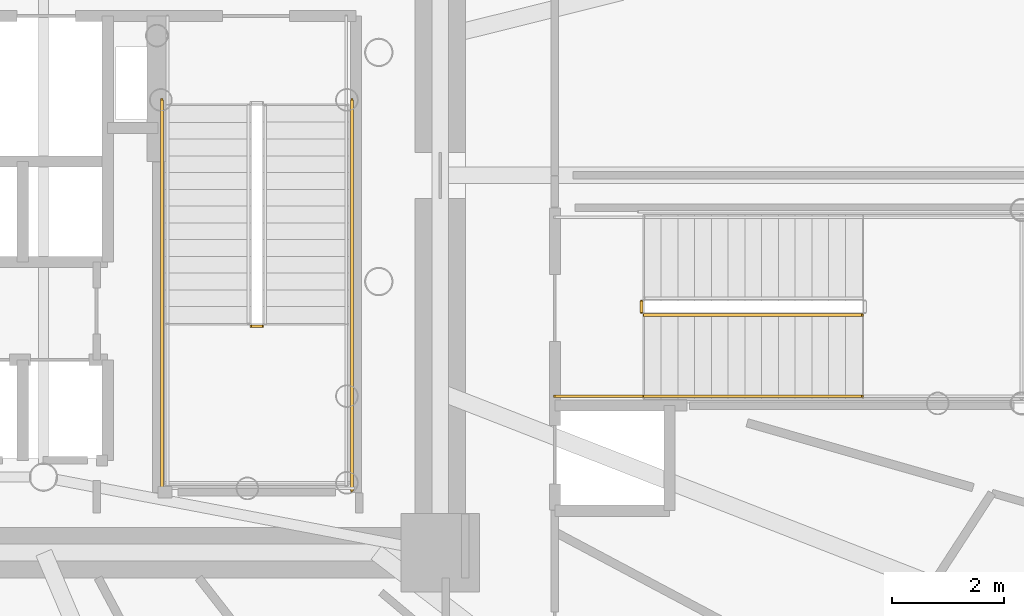
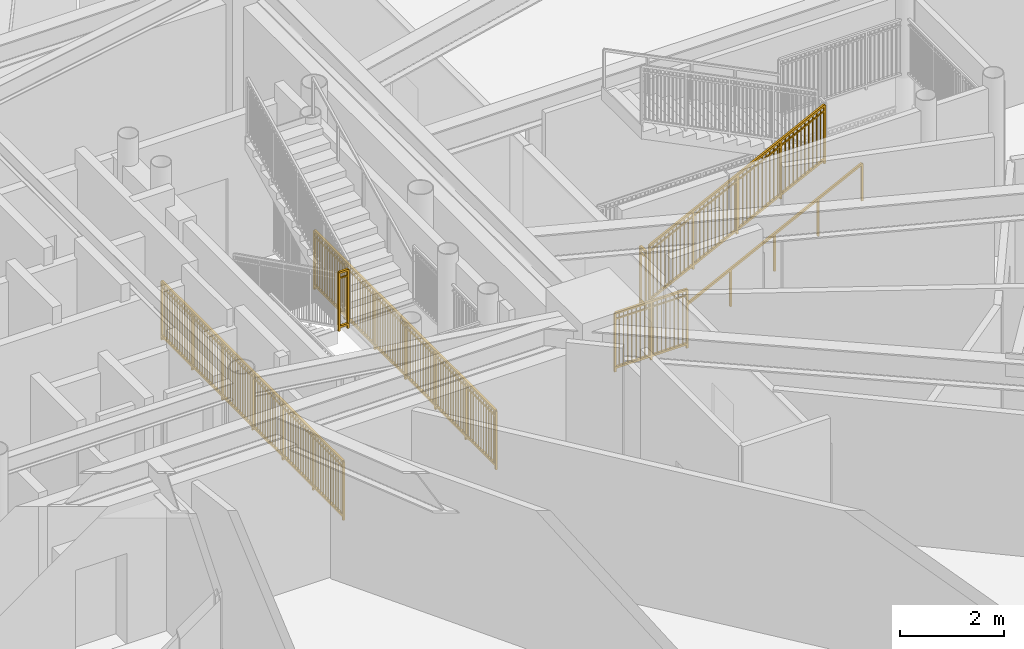
# One storey, part 28 of 32: 7 railings.
"""IFC4 building model written with IfcOpenShell, lengths in metres."""

from ifc_helpers import new_model, si_unit, direction, frame, origin, origin_2d, place, context, subcontext, project, spatial, rectangle, extrude, source, transform, mapped, material, type_object, element, save


model = new_model("IFC4")

# Units and contexts
model_context = context("Model", 3, precision=1e-05, world=origin(), true_north=direction((0.0, 1.0)))
body_context = subcontext(model_context, "Body", "Model", "MODEL_VIEW")
ifc_project = project(units=[si_unit("LENGTHUNIT", "METRE"), si_unit("AREAUNIT", "SQUARE_METRE"), si_unit("VOLUMEUNIT", "CUBIC_METRE"), si_unit("PLANEANGLEUNIT", "RADIAN"), si_unit("MASSUNIT", "GRAM", prefix="KILO")], contexts=[model_context])

# Site, building, storey
site_placement = place(None, origin())
site = spatial("IfcSite", under=ifc_project, at=site_placement, CompositionType="ELEMENT")
building_placement = place(site_placement, origin())
building = spatial("IfcBuilding", under=site, at=building_placement, Name="Linh Dai School and Residence Tower", CompositionType="ELEMENT")
storey_placement = place(building_placement, frame((0.0, 0.0, 53.39990234375)))
storey = spatial("IfcBuildingStorey", under=building, at=storey_placement, Name="L12", CompositionType="ELEMENT", Elevation=53.39990234375)

# Railings
ifc_material_1 = material(Name="Structural Steel S355JR", Category="steel")
railing_type_1 = type_object("IfcRailingType", Name="RL-ST-GUARD-1400", PredefinedType="GUARDRAIL", material=ifc_material_1)
shared_shape_1 = source(origin(), body_context, "Body", "SweptSolid", [
    extrude(rectangle(XDim=0.048095703125, YDim=0.048095703125, at=origin_2d()), frame((0.0, 0.0, 1.3759765625), z_axis=(1.0, 0.0, 0.0), x_axis=(0.0, 1.0, 0.0)), (0.0, 0.0, 1.0), 0.199951171875),
    extrude(rectangle(XDim=0.048095703125, YDim=0.048095703125, at=origin_2d()), frame((0.0, 0.0, 0.10009765625), z_axis=(1.0, 0.0, 0.0), x_axis=(0.0, 1.0, 0.0)), (0.0, 0.0, 1.0), 0.199951171875),
    extrude(rectangle(XDim=0.030029296875, YDim=0.030029296875, at=origin_2d()), frame((0.0, 0.0, 1.239990234375), z_axis=(1.0, 0.0, 0.0), x_axis=(0.0, 1.0, 0.0)), (0.0, 0.0, 1.0), 0.199951171875),
    extrude(rectangle(XDim=0.0419921875, YDim=0.0419921875, at=origin_2d()), origin(), (0.0, 0.0, 1.0), 1.3759765625),
    extrude(rectangle(XDim=0.0419921875, YDim=0.0419921875, at=origin_2d()), frame((0.199951171875, 0.0, 0.0)), (0.0, 0.0, 1.0), 1.3759765625),
])
railing_1_placement = place(storey_placement, frame((42.570068359375, 24.300048828125, 2.10009765625)))
element("IfcRailing", 1, at=railing_1_placement, inside=storey, type_object=railing_type_1, Name="L12 ST2 stair guard 2", PredefinedType="GUARDRAIL", context=body_context, shape_type="MappedRepresentation", body=[
    mapped(shared_shape_1, transform((0.0, 0.0, 0.0), x_axis=(1.0, 0.0, 0.0), y_axis=(0.0, 1.0, 0.0), z_axis=(0.0, 0.0, 1.0), scale=1.0)),
])
shared_shape_2 = source(origin(), body_context, "Body", "SweptSolid", [
    extrude(rectangle(XDim=0.048095703125, YDim=0.048095703125, at=origin_2d()), frame((0.0, 0.0, 1.3759765625), z_axis=(0.0, -1.0, 0.0), x_axis=(1.0, 0.0, 0.0)), (0.0, 0.0, 1.0), 7.0),
    extrude(rectangle(XDim=0.048095703125, YDim=0.048095703125, at=origin_2d()), frame((0.0, 0.0, 0.10009765625), z_axis=(0.0, -1.0, 0.0), x_axis=(1.0, 0.0, 0.0)), (0.0, 0.0, 1.0), 7.0),
    extrude(rectangle(XDim=0.030029296875, YDim=0.030029296875, at=origin_2d()), frame((0.0, 0.0, 1.239990234375), z_axis=(0.0, -1.0, 0.0), x_axis=(1.0, 0.0, 0.0)), (0.0, 0.0, 1.0), 7.0),
    extrude(rectangle(XDim=0.02001953125, YDim=0.02001953125, at=origin_2d()), frame((0.0, -0.09716796875, 0.10009765625)), (0.0, 0.0, 1.0), 1.251708984375),
    extrude(rectangle(XDim=0.02001953125, YDim=0.02001953125, at=origin_2d()), frame((0.0, -0.1943359375, 0.10009765625)), (0.0, 0.0, 1.0), 1.251708984375),
    extrude(rectangle(XDim=0.02001953125, YDim=0.02001953125, at=origin_2d()), frame((0.0, -0.291748046875, 0.10009765625)), (0.0, 0.0, 1.0), 1.251708984375),
    extrude(rectangle(XDim=0.02001953125, YDim=0.02001953125, at=origin_2d()), frame((0.0, -0.388916015625, 0.10009765625)), (0.0, 0.0, 1.0), 1.251708984375),
    extrude(rectangle(XDim=0.02001953125, YDim=0.02001953125, at=origin_2d()), frame((0.0, -0.486083984375, 0.10009765625)), (0.0, 0.0, 1.0), 1.251708984375),
    extrude(rectangle(XDim=0.02001953125, YDim=0.02001953125, at=origin_2d()), frame((0.0, -0.583251953125, 0.10009765625)), (0.0, 0.0, 1.0), 1.251708984375),
    extrude(rectangle(XDim=0.02001953125, YDim=0.02001953125, at=origin_2d()), frame((0.0, -0.6806640625, 0.10009765625)), (0.0, 0.0, 1.0), 1.251708984375),
    extrude(rectangle(XDim=0.02001953125, YDim=0.02001953125, at=origin_2d()), frame((0.0, -0.77783203125, 0.10009765625)), (0.0, 0.0, 1.0), 1.251708984375),
    extrude(rectangle(XDim=0.02001953125, YDim=0.02001953125, at=origin_2d()), frame((0.0, -0.875, 0.10009765625)), (0.0, 0.0, 1.0), 1.251708984375),
    extrude(rectangle(XDim=0.02001953125, YDim=0.02001953125, at=origin_2d()), frame((0.0, -0.97216796875, 0.10009765625)), (0.0, 0.0, 1.0), 1.251708984375),
    extrude(rectangle(XDim=0.02001953125, YDim=0.02001953125, at=origin_2d()), frame((0.0, -1.0693359375, 0.10009765625)), (0.0, 0.0, 1.0), 1.251708984375),
    extrude(rectangle(XDim=0.02001953125, YDim=0.02001953125, at=origin_2d()), frame((0.0, -1.263916015625, 0.10009765625)), (0.0, 0.0, 1.0), 1.251708984375),
    extrude(rectangle(XDim=0.02001953125, YDim=0.02001953125, at=origin_2d()), frame((0.0, -1.361083984375, 0.10009765625)), (0.0, 0.0, 1.0), 1.251708984375),
    extrude(rectangle(XDim=0.02001953125, YDim=0.02001953125, at=origin_2d()), frame((0.0, -1.458251953125, 0.10009765625)), (0.0, 0.0, 1.0), 1.251708984375),
    extrude(rectangle(XDim=0.02001953125, YDim=0.02001953125, at=origin_2d()), frame((0.0, -1.5556640625, 0.10009765625)), (0.0, 0.0, 1.0), 1.251708984375),
    extrude(rectangle(XDim=0.02001953125, YDim=0.02001953125, at=origin_2d()), frame((0.0, -1.65283203125, 0.10009765625)), (0.0, 0.0, 1.0), 1.251708984375),
    extrude(rectangle(XDim=0.02001953125, YDim=0.02001953125, at=origin_2d()), frame((0.0, -1.75, 0.10009765625)), (0.0, 0.0, 1.0), 1.251708984375),
    extrude(rectangle(XDim=0.02001953125, YDim=0.02001953125, at=origin_2d()), frame((0.0, -1.84716796875, 0.10009765625)), (0.0, 0.0, 1.0), 1.251708984375),
    extrude(rectangle(XDim=0.02001953125, YDim=0.02001953125, at=origin_2d()), frame((0.0, -1.9443359375, 0.10009765625)), (0.0, 0.0, 1.0), 1.251708984375),
    extrude(rectangle(XDim=0.02001953125, YDim=0.02001953125, at=origin_2d()), frame((0.0, -2.041748046875, 0.10009765625)), (0.0, 0.0, 1.0), 1.251708984375),
    extrude(rectangle(XDim=0.02001953125, YDim=0.02001953125, at=origin_2d()), frame((0.0, -2.138916015625, 0.10009765625)), (0.0, 0.0, 1.0), 1.251708984375),
    extrude(rectangle(XDim=0.02001953125, YDim=0.02001953125, at=origin_2d()), frame((0.0, -2.236083984375, 0.10009765625)), (0.0, 0.0, 1.0), 1.251708984375),
    extrude(rectangle(XDim=0.02001953125, YDim=0.02001953125, at=origin_2d()), frame((0.0, -2.4306640625, 0.10009765625)), (0.0, 0.0, 1.0), 1.251708984375),
    extrude(rectangle(XDim=0.02001953125, YDim=0.02001953125, at=origin_2d()), frame((0.0, -2.52783203125, 0.10009765625)), (0.0, 0.0, 1.0), 1.251708984375),
    extrude(rectangle(XDim=0.02001953125, YDim=0.02001953125, at=origin_2d()), frame((0.0, -2.625, 0.10009765625)), (0.0, 0.0, 1.0), 1.251708984375),
    extrude(rectangle(XDim=0.02001953125, YDim=0.02001953125, at=origin_2d()), frame((0.0, -2.72216796875, 0.10009765625)), (0.0, 0.0, 1.0), 1.251708984375),
    extrude(rectangle(XDim=0.02001953125, YDim=0.02001953125, at=origin_2d()), frame((0.0, -2.8193359375, 0.10009765625)), (0.0, 0.0, 1.0), 1.251708984375),
    extrude(rectangle(XDim=0.02001953125, YDim=0.02001953125, at=origin_2d()), frame((0.0, -2.916748046875, 0.10009765625)), (0.0, 0.0, 1.0), 1.251708984375),
    extrude(rectangle(XDim=0.02001953125, YDim=0.02001953125, at=origin_2d()), frame((0.0, -3.013916015625, 0.10009765625)), (0.0, 0.0, 1.0), 1.251708984375),
    extrude(rectangle(XDim=0.02001953125, YDim=0.02001953125, at=origin_2d()), frame((0.0, -3.111083984375, 0.10009765625)), (0.0, 0.0, 1.0), 1.251708984375),
    extrude(rectangle(XDim=0.02001953125, YDim=0.02001953125, at=origin_2d()), frame((0.0, -3.208251953125, 0.10009765625)), (0.0, 0.0, 1.0), 1.251708984375),
    extrude(rectangle(XDim=0.02001953125, YDim=0.02001953125, at=origin_2d()), frame((0.0, -3.3056640625, 0.10009765625)), (0.0, 0.0, 1.0), 1.251708984375),
    extrude(rectangle(XDim=0.02001953125, YDim=0.02001953125, at=origin_2d()), frame((0.0, -3.40283203125, 0.10009765625)), (0.0, 0.0, 1.0), 1.251708984375),
    extrude(rectangle(XDim=0.02001953125, YDim=0.02001953125, at=origin_2d()), frame((0.0, -3.59716796875, 0.10009765625)), (0.0, 0.0, 1.0), 1.251708984375),
    extrude(rectangle(XDim=0.02001953125, YDim=0.02001953125, at=origin_2d()), frame((0.0, -3.6943359375, 0.10009765625)), (0.0, 0.0, 1.0), 1.251708984375),
    extrude(rectangle(XDim=0.02001953125, YDim=0.02001953125, at=origin_2d()), frame((0.0, -3.791748046875, 0.10009765625)), (0.0, 0.0, 1.0), 1.251708984375),
    extrude(rectangle(XDim=0.02001953125, YDim=0.02001953125, at=origin_2d()), frame((0.0, -3.888916015625, 0.10009765625)), (0.0, 0.0, 1.0), 1.251708984375),
    extrude(rectangle(XDim=0.02001953125, YDim=0.02001953125, at=origin_2d()), frame((0.0, -3.986083984375, 0.10009765625)), (0.0, 0.0, 1.0), 1.251708984375),
    extrude(rectangle(XDim=0.02001953125, YDim=0.02001953125, at=origin_2d()), frame((0.0, -4.083251953125, 0.10009765625)), (0.0, 0.0, 1.0), 1.251708984375),
    extrude(rectangle(XDim=0.02001953125, YDim=0.02001953125, at=origin_2d()), frame((0.0, -4.1806640625, 0.10009765625)), (0.0, 0.0, 1.0), 1.251708984375),
    extrude(rectangle(XDim=0.02001953125, YDim=0.02001953125, at=origin_2d()), frame((0.0, -4.27783203125, 0.10009765625)), (0.0, 0.0, 1.0), 1.251708984375),
    extrude(rectangle(XDim=0.02001953125, YDim=0.02001953125, at=origin_2d()), frame((0.0, -4.375, 0.10009765625)), (0.0, 0.0, 1.0), 1.251708984375),
    extrude(rectangle(XDim=0.02001953125, YDim=0.02001953125, at=origin_2d()), frame((0.0, -4.47216796875, 0.10009765625)), (0.0, 0.0, 1.0), 1.251708984375),
    extrude(rectangle(XDim=0.02001953125, YDim=0.02001953125, at=origin_2d()), frame((0.0, -4.5693359375, 0.10009765625)), (0.0, 0.0, 1.0), 1.251708984375),
    extrude(rectangle(XDim=0.02001953125, YDim=0.02001953125, at=origin_2d()), frame((0.0, -4.763916015625, 0.10009765625)), (0.0, 0.0, 1.0), 1.251708984375),
    extrude(rectangle(XDim=0.02001953125, YDim=0.02001953125, at=origin_2d()), frame((0.0, -4.861083984375, 0.10009765625)), (0.0, 0.0, 1.0), 1.251708984375),
    extrude(rectangle(XDim=0.02001953125, YDim=0.02001953125, at=origin_2d()), frame((0.0, -4.958251953125, 0.10009765625)), (0.0, 0.0, 1.0), 1.251708984375),
    extrude(rectangle(XDim=0.02001953125, YDim=0.02001953125, at=origin_2d()), frame((0.0, -5.0556640625, 0.10009765625)), (0.0, 0.0, 1.0), 1.251708984375),
    extrude(rectangle(XDim=0.02001953125, YDim=0.02001953125, at=origin_2d()), frame((0.0, -5.15283203125, 0.10009765625)), (0.0, 0.0, 1.0), 1.251708984375),
    extrude(rectangle(XDim=0.02001953125, YDim=0.02001953125, at=origin_2d()), frame((0.0, -5.25, 0.10009765625)), (0.0, 0.0, 1.0), 1.251708984375),
    extrude(rectangle(XDim=0.02001953125, YDim=0.02001953125, at=origin_2d()), frame((0.0, -5.34716796875, 0.10009765625)), (0.0, 0.0, 1.0), 1.251708984375),
    extrude(rectangle(XDim=0.02001953125, YDim=0.02001953125, at=origin_2d()), frame((0.0, -5.4443359375, 0.10009765625)), (0.0, 0.0, 1.0), 1.251708984375),
    extrude(rectangle(XDim=0.02001953125, YDim=0.02001953125, at=origin_2d()), frame((0.0, -5.541748046875, 0.10009765625)), (0.0, 0.0, 1.0), 1.251708984375),
    extrude(rectangle(XDim=0.02001953125, YDim=0.02001953125, at=origin_2d()), frame((0.0, -5.638916015625, 0.10009765625)), (0.0, 0.0, 1.0), 1.251708984375),
    extrude(rectangle(XDim=0.02001953125, YDim=0.02001953125, at=origin_2d()), frame((0.0, -5.736083984375, 0.10009765625)), (0.0, 0.0, 1.0), 1.251708984375),
    extrude(rectangle(XDim=0.02001953125, YDim=0.02001953125, at=origin_2d()), frame((0.0, -5.9306640625, 0.10009765625)), (0.0, 0.0, 1.0), 1.251708984375),
    extrude(rectangle(XDim=0.02001953125, YDim=0.02001953125, at=origin_2d()), frame((0.0, -6.02783203125, 0.10009765625)), (0.0, 0.0, 1.0), 1.251708984375),
    extrude(rectangle(XDim=0.02001953125, YDim=0.02001953125, at=origin_2d()), frame((0.0, -6.125, 0.10009765625)), (0.0, 0.0, 1.0), 1.251708984375),
    extrude(rectangle(XDim=0.02001953125, YDim=0.02001953125, at=origin_2d()), frame((0.0, -6.22216796875, 0.10009765625)), (0.0, 0.0, 1.0), 1.251708984375),
    extrude(rectangle(XDim=0.02001953125, YDim=0.02001953125, at=origin_2d()), frame((0.0, -6.3193359375, 0.10009765625)), (0.0, 0.0, 1.0), 1.251708984375),
    extrude(rectangle(XDim=0.02001953125, YDim=0.02001953125, at=origin_2d()), frame((0.0, -6.416748046875, 0.10009765625)), (0.0, 0.0, 1.0), 1.251708984375),
    extrude(rectangle(XDim=0.02001953125, YDim=0.02001953125, at=origin_2d()), frame((0.0, -6.513916015625, 0.10009765625)), (0.0, 0.0, 1.0), 1.251708984375),
    extrude(rectangle(XDim=0.02001953125, YDim=0.02001953125, at=origin_2d()), frame((0.0, -6.611083984375, 0.10009765625)), (0.0, 0.0, 1.0), 1.251708984375),
    extrude(rectangle(XDim=0.02001953125, YDim=0.02001953125, at=origin_2d()), frame((0.0, -6.708251953125, 0.10009765625)), (0.0, 0.0, 1.0), 1.251708984375),
    extrude(rectangle(XDim=0.02001953125, YDim=0.02001953125, at=origin_2d()), frame((0.0, -6.8056640625, 0.10009765625)), (0.0, 0.0, 1.0), 1.251708984375),
    extrude(rectangle(XDim=0.02001953125, YDim=0.02001953125, at=origin_2d()), frame((0.0, -6.90283203125, 0.10009765625)), (0.0, 0.0, 1.0), 1.251708984375),
    extrude(rectangle(XDim=0.0419921875, YDim=0.0419921875, at=origin_2d()), origin(), (0.0, 0.0, 1.0), 1.3759765625),
    extrude(rectangle(XDim=0.0419921875, YDim=0.0419921875, at=origin_2d()), frame((0.0, -1.166748046875, 0.0)), (0.0, 0.0, 1.0), 1.3759765625),
    extrude(rectangle(XDim=0.0419921875, YDim=0.0419921875, at=origin_2d()), frame((0.0, -2.333251953125, 0.0)), (0.0, 0.0, 1.0), 1.3759765625),
    extrude(rectangle(XDim=0.0419921875, YDim=0.0419921875, at=origin_2d()), frame((0.0, -3.5, 0.0)), (0.0, 0.0, 1.0), 1.3759765625),
    extrude(rectangle(XDim=0.0419921875, YDim=0.0419921875, at=origin_2d()), frame((0.0, -4.666748046875, 0.0)), (0.0, 0.0, 1.0), 1.3759765625),
    extrude(rectangle(XDim=0.0419921875, YDim=0.0419921875, at=origin_2d()), frame((0.0, -5.833251953125, 0.0)), (0.0, 0.0, 1.0), 1.3759765625),
    extrude(rectangle(XDim=0.0419921875, YDim=0.0419921875, at=origin_2d()), frame((0.0, -7.0, 0.0)), (0.0, 0.0, 1.0), 1.3759765625),
])
for number, where, name in (
    (2, (40.969970703125, 28.35009765625, 0.0), "L12 ST2 stair guard 10"),
    (3, (44.3701171875, 28.35009765625, 0.0), "L12 ST2 stair guard 11"),
):
    element("IfcRailing", number, at=place(storey_placement, frame(where)), inside=storey, type_object=railing_type_1, Name=name, PredefinedType="GUARDRAIL", context=body_context, shape_type="MappedRepresentation", body=[
        mapped(shared_shape_2, transform((0.0, 0.0, 0.0), x_axis=(1.0, 0.0, 0.0), y_axis=(0.0, 1.0, 0.0), z_axis=(0.0, 0.0, 1.0), scale=1.0)),
    ])
shared_shape_3 = source(origin(), body_context, "Body", "SweptSolid", [
    extrude(rectangle(XDim=0.048095703125, YDim=0.048095703125, at=origin_2d()), frame((0.0, 0.0, 1.3759765625), z_axis=(0.894427191, 0.0, 0.4472135955), x_axis=(0.0, 1.0, 0.0)), (0.0, 0.0, 1.0), 4.360107421875),
    extrude(rectangle(XDim=0.048095703125, YDim=0.048095703125, at=origin_2d()), frame((0.0, 0.0, 0.10009765625), z_axis=(0.894427191, 0.0, 0.4472135955), x_axis=(0.0, 1.0, 0.0)), (0.0, 0.0, 1.0), 4.360107421875),
    extrude(rectangle(XDim=0.030029296875, YDim=0.030029296875, at=origin_2d()), frame((0.0, 0.0, 1.239990234375), z_axis=(0.894427191, 0.0, 0.4472135955), x_axis=(0.0, 1.0, 0.0)), (0.0, 0.0, 1.0), 4.360107421875),
    extrude(rectangle(XDim=0.02001953125, YDim=0.02001953125, at=origin_2d()), frame((0.086669921875, 0.0, 0.143310546875)), (0.0, 0.0, 1.0), 1.251708984375),
    extrude(rectangle(XDim=0.02001953125, YDim=0.02001953125, at=origin_2d()), frame((0.17333984375, 0.0, 0.186767578125)), (0.0, 0.0, 1.0), 1.251708984375),
    extrude(rectangle(XDim=0.02001953125, YDim=0.02001953125, at=origin_2d()), frame((0.260009765625, 0.0, 0.22998046875)), (0.0, 0.0, 1.0), 1.251708984375),
    extrude(rectangle(XDim=0.02001953125, YDim=0.02001953125, at=origin_2d()), frame((0.3466796875, 0.0, 0.2734375)), (0.0, 0.0, 1.0), 1.251708984375),
    extrude(rectangle(XDim=0.02001953125, YDim=0.02001953125, at=origin_2d()), frame((0.433349609375, 0.0, 0.316650390625)), (0.0, 0.0, 1.0), 1.251708984375),
    extrude(rectangle(XDim=0.02001953125, YDim=0.02001953125, at=origin_2d()), frame((0.52001953125, 0.0, 0.360107421875)), (0.0, 0.0, 1.0), 1.251708984375),
    extrude(rectangle(XDim=0.02001953125, YDim=0.02001953125, at=origin_2d()), frame((0.606689453125, 0.0, 0.4033203125)), (0.0, 0.0, 1.0), 1.251708984375),
    extrude(rectangle(XDim=0.02001953125, YDim=0.02001953125, at=origin_2d()), frame((0.693359375, 0.0, 0.44677734375)), (0.0, 0.0, 1.0), 1.251708984375),
    extrude(rectangle(XDim=0.02001953125, YDim=0.02001953125, at=origin_2d()), frame((0.780029296875, 0.0, 0.489990234375)), (0.0, 0.0, 1.0), 1.251708984375),
    extrude(rectangle(XDim=0.02001953125, YDim=0.02001953125, at=origin_2d()), frame((0.86669921875, 0.0, 0.533447265625)), (0.0, 0.0, 1.0), 1.251708984375),
    extrude(rectangle(XDim=0.02001953125, YDim=0.02001953125, at=origin_2d()), frame((1.0400390625, 0.0, 0.6201171875)), (0.0, 0.0, 1.0), 1.251708984375),
    extrude(rectangle(XDim=0.02001953125, YDim=0.02001953125, at=origin_2d()), frame((1.126708984375, 0.0, 0.663330078125)), (0.0, 0.0, 1.0), 1.251708984375),
    extrude(rectangle(XDim=0.02001953125, YDim=0.02001953125, at=origin_2d()), frame((1.21337890625, 0.0, 0.706787109375)), (0.0, 0.0, 1.0), 1.251708984375),
    extrude(rectangle(XDim=0.02001953125, YDim=0.02001953125, at=origin_2d()), frame((1.300048828125, 0.0, 0.75)), (0.0, 0.0, 1.0), 1.251708984375),
    extrude(rectangle(XDim=0.02001953125, YDim=0.02001953125, at=origin_2d()), frame((1.38671875, 0.0, 0.79345703125)), (0.0, 0.0, 1.0), 1.251708984375),
    extrude(rectangle(XDim=0.02001953125, YDim=0.02001953125, at=origin_2d()), frame((1.473388671875, 0.0, 0.836669921875)), (0.0, 0.0, 1.0), 1.251708984375),
    extrude(rectangle(XDim=0.02001953125, YDim=0.02001953125, at=origin_2d()), frame((1.56005859375, 0.0, 0.880126953125)), (0.0, 0.0, 1.0), 1.251708984375),
    extrude(rectangle(XDim=0.02001953125, YDim=0.02001953125, at=origin_2d()), frame((1.646728515625, 0.0, 0.92333984375)), (0.0, 0.0, 1.0), 1.251708984375),
    extrude(rectangle(XDim=0.02001953125, YDim=0.02001953125, at=origin_2d()), frame((1.7333984375, 0.0, 0.966796875)), (0.0, 0.0, 1.0), 1.251708984375),
    extrude(rectangle(XDim=0.02001953125, YDim=0.02001953125, at=origin_2d()), frame((1.820068359375, 0.0, 1.010009765625)), (0.0, 0.0, 1.0), 1.251708984375),
    extrude(rectangle(XDim=0.02001953125, YDim=0.02001953125, at=origin_2d()), frame((1.90673828125, 0.0, 1.053466796875)), (0.0, 0.0, 1.0), 1.251708984375),
    extrude(rectangle(XDim=0.02001953125, YDim=0.02001953125, at=origin_2d()), frame((1.9931640625, 0.0, 1.0966796875)), (0.0, 0.0, 1.0), 1.251708984375),
    extrude(rectangle(XDim=0.02001953125, YDim=0.02001953125, at=origin_2d()), frame((2.079833984375, 0.0, 1.14013671875)), (0.0, 0.0, 1.0), 1.251708984375),
    extrude(rectangle(XDim=0.02001953125, YDim=0.02001953125, at=origin_2d()), frame((2.16650390625, 0.0, 1.183349609375)), (0.0, 0.0, 1.0), 1.251708984375),
    extrude(rectangle(XDim=0.02001953125, YDim=0.02001953125, at=origin_2d()), frame((2.253173828125, 0.0, 1.226806640625)), (0.0, 0.0, 1.0), 1.251708984375),
    extrude(rectangle(XDim=0.02001953125, YDim=0.02001953125, at=origin_2d()), frame((2.33984375, 0.0, 1.27001953125)), (0.0, 0.0, 1.0), 1.251708984375),
    extrude(rectangle(XDim=0.02001953125, YDim=0.02001953125, at=origin_2d()), frame((2.426513671875, 0.0, 1.3134765625)), (0.0, 0.0, 1.0), 1.251708984375),
    extrude(rectangle(XDim=0.02001953125, YDim=0.02001953125, at=origin_2d()), frame((2.51318359375, 0.0, 1.356689453125)), (0.0, 0.0, 1.0), 1.251708984375),
    extrude(rectangle(XDim=0.02001953125, YDim=0.02001953125, at=origin_2d()), frame((2.599853515625, 0.0, 1.400146484375)), (0.0, 0.0, 1.0), 1.251708984375),
    extrude(rectangle(XDim=0.02001953125, YDim=0.02001953125, at=origin_2d()), frame((2.6865234375, 0.0, 1.443359375)), (0.0, 0.0, 1.0), 1.251708984375),
    extrude(rectangle(XDim=0.02001953125, YDim=0.02001953125, at=origin_2d()), frame((2.773193359375, 0.0, 1.48681640625)), (0.0, 0.0, 1.0), 1.251708984375),
    extrude(rectangle(XDim=0.02001953125, YDim=0.02001953125, at=origin_2d()), frame((2.85986328125, 0.0, 1.530029296875)), (0.0, 0.0, 1.0), 1.251708984375),
    extrude(rectangle(XDim=0.02001953125, YDim=0.02001953125, at=origin_2d()), frame((3.033203125, 0.0, 1.61669921875)), (0.0, 0.0, 1.0), 1.251708984375),
    extrude(rectangle(XDim=0.02001953125, YDim=0.02001953125, at=origin_2d()), frame((3.119873046875, 0.0, 1.66015625)), (0.0, 0.0, 1.0), 1.251708984375),
    extrude(rectangle(XDim=0.02001953125, YDim=0.02001953125, at=origin_2d()), frame((3.20654296875, 0.0, 1.703369140625)), (0.0, 0.0, 1.0), 1.251708984375),
    extrude(rectangle(XDim=0.02001953125, YDim=0.02001953125, at=origin_2d()), frame((3.293212890625, 0.0, 1.746826171875)), (0.0, 0.0, 1.0), 1.251708984375),
    extrude(rectangle(XDim=0.02001953125, YDim=0.02001953125, at=origin_2d()), frame((3.3798828125, 0.0, 1.7900390625)), (0.0, 0.0, 1.0), 1.251708984375),
    extrude(rectangle(XDim=0.02001953125, YDim=0.02001953125, at=origin_2d()), frame((3.466552734375, 0.0, 1.83349609375)), (0.0, 0.0, 1.0), 1.251708984375),
    extrude(rectangle(XDim=0.02001953125, YDim=0.02001953125, at=origin_2d()), frame((3.55322265625, 0.0, 1.876708984375)), (0.0, 0.0, 1.0), 1.251708984375),
    extrude(rectangle(XDim=0.02001953125, YDim=0.02001953125, at=origin_2d()), frame((3.639892578125, 0.0, 1.920166015625)), (0.0, 0.0, 1.0), 1.251708984375),
    extrude(rectangle(XDim=0.02001953125, YDim=0.02001953125, at=origin_2d()), frame((3.7265625, 0.0, 1.96337890625)), (0.0, 0.0, 1.0), 1.251708984375),
    extrude(rectangle(XDim=0.02001953125, YDim=0.02001953125, at=origin_2d()), frame((3.813232421875, 0.0, 2.0068359375)), (0.0, 0.0, 1.0), 1.251708984375),
    extrude(rectangle(XDim=0.0419921875, YDim=0.0419921875, at=origin_2d()), origin(), (0.0, 0.0, 1.0), 1.3759765625),
    extrude(rectangle(XDim=0.0419921875, YDim=0.0419921875, at=origin_2d()), frame((0.97509765625, 0.0, 0.487548828125)), (0.0, 0.0, 1.0), 1.3759765625),
    extrude(rectangle(XDim=0.0419921875, YDim=0.0419921875, at=origin_2d()), frame((1.949951171875, 0.0, 0.97509765625)), (0.0, 0.0, 1.0), 1.3759765625),
    extrude(rectangle(XDim=0.0419921875, YDim=0.0419921875, at=origin_2d()), frame((2.9248046875, 0.0, 1.46240234375)), (0.0, 0.0, 1.0), 1.3759765625),
    extrude(rectangle(XDim=0.0419921875, YDim=0.0419921875, at=origin_2d()), frame((3.89990234375, 0.0, 1.949951171875)), (0.0, 0.0, 1.0), 1.3759765625),
])
railing_2_placement = place(storey_placement, frame((49.60009765625, 24.5, 0.150146484375)))
element("IfcRailing", 4, at=railing_2_placement, inside=storey, type_object=railing_type_1, Name="L12 STS2 stair guard 1", PredefinedType="GUARDRAIL", context=body_context, shape_type="MappedRepresentation", body=[
    mapped(shared_shape_3, transform((0.0, 0.0, 0.0), x_axis=(1.0, 0.0, 0.0), y_axis=(0.0, 1.0, 0.0), z_axis=(0.0, 0.0, 1.0), scale=1.0)),
])
ifc_material_2 = material(Name="Brushed Stainless Steel Handrail", Category="steel")
railing_type_2 = type_object("IfcRailingType", Name="RL-ST-HANDRAIL-900", PredefinedType="HANDRAIL", material=ifc_material_2)
shared_shape_4 = source(origin(), body_context, "Body", "SweptSolid", [
    extrude(rectangle(XDim=0.048095703125, YDim=0.048095703125, at=origin_2d()), frame((0.0, 0.0, 0.8759765625), z_axis=(0.894427191, 0.0, 0.4472135955), x_axis=(0.0, 1.0, 0.0)), (0.0, 0.0, 1.0), 4.360107421875),
    extrude(rectangle(XDim=0.0419921875, YDim=0.0419921875, at=origin_2d()), origin(), (0.0, 0.0, 1.0), 0.8759765625),
    extrude(rectangle(XDim=0.0419921875, YDim=0.0419921875, at=origin_2d()), frame((0.97509765625, 0.0, 0.487548828125)), (0.0, 0.0, 1.0), 0.8759765625),
    extrude(rectangle(XDim=0.0419921875, YDim=0.0419921875, at=origin_2d()), frame((1.949951171875, 0.0, 0.97509765625)), (0.0, 0.0, 1.0), 0.8759765625),
    extrude(rectangle(XDim=0.0419921875, YDim=0.0419921875, at=origin_2d()), frame((2.9248046875, 0.0, 1.46240234375)), (0.0, 0.0, 1.0), 0.8759765625),
    extrude(rectangle(XDim=0.0419921875, YDim=0.0419921875, at=origin_2d()), frame((3.89990234375, 0.0, 1.949951171875)), (0.0, 0.0, 1.0), 0.8759765625),
])
railing_3_placement = place(storey_placement, frame((49.60009765625, 23.050048828125, 0.150146484375)))
element("IfcRailing", 5, at=railing_3_placement, inside=storey, type_object=railing_type_2, Name="L12 STS2 stair handrail 1", PredefinedType="HANDRAIL", context=body_context, shape_type="MappedRepresentation", body=[
    mapped(shared_shape_4, transform((0.0, 0.0, 0.0), x_axis=(1.0, 0.0, 0.0), y_axis=(0.0, 1.0, 0.0), z_axis=(0.0, 0.0, 1.0), scale=1.0)),
])
shared_shape_5 = source(origin(), body_context, "Body", "SweptSolid", [
    extrude(rectangle(XDim=0.048095703125, YDim=0.048095703125, at=origin_2d()), frame((0.0, 0.0, 1.3759765625), z_axis=(0.0, 1.0, 0.0), x_axis=(-1.0, 0.0, 0.0)), (0.0, 0.0, 1.0), 0.199951171875),
    extrude(rectangle(XDim=0.048095703125, YDim=0.048095703125, at=origin_2d()), frame((0.0, 0.0, 0.10009765625), z_axis=(0.0, 1.0, 0.0), x_axis=(-1.0, 0.0, 0.0)), (0.0, 0.0, 1.0), 0.199951171875),
    extrude(rectangle(XDim=0.030029296875, YDim=0.030029296875, at=origin_2d()), frame((0.0, 0.0, 1.239990234375), z_axis=(0.0, 1.0, 0.0), x_axis=(-1.0, 0.0, 0.0)), (0.0, 0.0, 1.0), 0.199951171875),
    extrude(rectangle(XDim=0.0419921875, YDim=0.0419921875, at=origin_2d()), origin(), (0.0, 0.0, 1.0), 1.3759765625),
    extrude(rectangle(XDim=0.0419921875, YDim=0.0419921875, at=origin_2d()), frame((0.0, 0.199951171875, 0.0)), (0.0, 0.0, 1.0), 1.3759765625),
])
railing_4_placement = place(storey_placement, frame((49.550048828125, 24.550048828125, 0.0)))
element("IfcRailing", 6, at=railing_4_placement, inside=storey, type_object=railing_type_1, Name="L12 STS2 stair guard 7", PredefinedType="GUARDRAIL", context=body_context, shape_type="MappedRepresentation", body=[
    mapped(shared_shape_5, transform((0.0, 0.0, 0.0), x_axis=(1.0, 0.0, 0.0), y_axis=(0.0, 1.0, 0.0), z_axis=(0.0, 0.0, 1.0), scale=1.0)),
])
shared_shape_6 = source(origin(), body_context, "Body", "SweptSolid", [
    extrude(rectangle(XDim=0.048095703125, YDim=0.048095703125, at=origin_2d()), frame((0.0, 0.0, 1.3759765625), z_axis=(1.0, 0.0, 0.0), x_axis=(0.0, 1.0, 0.0)), (0.0, 0.0, 1.0), 1.60009765625),
    extrude(rectangle(XDim=0.048095703125, YDim=0.048095703125, at=origin_2d()), frame((0.0, 0.0, 0.10009765625), z_axis=(1.0, 0.0, 0.0), x_axis=(0.0, 1.0, 0.0)), (0.0, 0.0, 1.0), 1.60009765625),
    extrude(rectangle(XDim=0.030029296875, YDim=0.030029296875, at=origin_2d()), frame((0.0, 0.0, 1.239990234375), z_axis=(1.0, 0.0, 0.0), x_axis=(0.0, 1.0, 0.0)), (0.0, 0.0, 1.0), 1.60009765625),
    extrude(rectangle(XDim=0.02001953125, YDim=0.02001953125, at=origin_2d()), frame((0.09423828125, 0.0, 0.10009765625)), (0.0, 0.0, 1.0), 1.251708984375),
    extrude(rectangle(XDim=0.02001953125, YDim=0.02001953125, at=origin_2d()), frame((0.188232421875, 0.0, 0.10009765625)), (0.0, 0.0, 1.0), 1.251708984375),
    extrude(rectangle(XDim=0.02001953125, YDim=0.02001953125, at=origin_2d()), frame((0.282470703125, 0.0, 0.10009765625)), (0.0, 0.0, 1.0), 1.251708984375),
    extrude(rectangle(XDim=0.02001953125, YDim=0.02001953125, at=origin_2d()), frame((0.37646484375, 0.0, 0.10009765625)), (0.0, 0.0, 1.0), 1.251708984375),
    extrude(rectangle(XDim=0.02001953125, YDim=0.02001953125, at=origin_2d()), frame((0.470703125, 0.0, 0.10009765625)), (0.0, 0.0, 1.0), 1.251708984375),
    extrude(rectangle(XDim=0.02001953125, YDim=0.02001953125, at=origin_2d()), frame((0.564697265625, 0.0, 0.10009765625)), (0.0, 0.0, 1.0), 1.251708984375),
    extrude(rectangle(XDim=0.02001953125, YDim=0.02001953125, at=origin_2d()), frame((0.658935546875, 0.0, 0.10009765625)), (0.0, 0.0, 1.0), 1.251708984375),
    extrude(rectangle(XDim=0.02001953125, YDim=0.02001953125, at=origin_2d()), frame((0.7529296875, 0.0, 0.10009765625)), (0.0, 0.0, 1.0), 1.251708984375),
    extrude(rectangle(XDim=0.02001953125, YDim=0.02001953125, at=origin_2d()), frame((0.84716796875, 0.0, 0.10009765625)), (0.0, 0.0, 1.0), 1.251708984375),
    extrude(rectangle(XDim=0.02001953125, YDim=0.02001953125, at=origin_2d()), frame((0.941162109375, 0.0, 0.10009765625)), (0.0, 0.0, 1.0), 1.251708984375),
    extrude(rectangle(XDim=0.02001953125, YDim=0.02001953125, at=origin_2d()), frame((1.035400390625, 0.0, 0.10009765625)), (0.0, 0.0, 1.0), 1.251708984375),
    extrude(rectangle(XDim=0.02001953125, YDim=0.02001953125, at=origin_2d()), frame((1.12939453125, 0.0, 0.10009765625)), (0.0, 0.0, 1.0), 1.251708984375),
    extrude(rectangle(XDim=0.02001953125, YDim=0.02001953125, at=origin_2d()), frame((1.2236328125, 0.0, 0.10009765625)), (0.0, 0.0, 1.0), 1.251708984375),
    extrude(rectangle(XDim=0.02001953125, YDim=0.02001953125, at=origin_2d()), frame((1.317626953125, 0.0, 0.10009765625)), (0.0, 0.0, 1.0), 1.251708984375),
    extrude(rectangle(XDim=0.02001953125, YDim=0.02001953125, at=origin_2d()), frame((1.411865234375, 0.0, 0.10009765625)), (0.0, 0.0, 1.0), 1.251708984375),
    extrude(rectangle(XDim=0.02001953125, YDim=0.02001953125, at=origin_2d()), frame((1.505859375, 0.0, 0.10009765625)), (0.0, 0.0, 1.0), 1.251708984375),
    extrude(rectangle(XDim=0.0419921875, YDim=0.0419921875, at=origin_2d()), origin(), (0.0, 0.0, 1.0), 1.3759765625),
    extrude(rectangle(XDim=0.0419921875, YDim=0.0419921875, at=origin_2d()), frame((0.800048828125, 0.0, 0.0)), (0.0, 0.0, 1.0), 1.3759765625),
    extrude(rectangle(XDim=0.0419921875, YDim=0.0419921875, at=origin_2d()), frame((1.60009765625, 0.0, 0.0)), (0.0, 0.0, 1.0), 1.3759765625),
])
railing_5_placement = place(storey_placement, frame((48.0, 23.050048828125, 0.0)))
element("IfcRailing", 7, at=railing_5_placement, inside=storey, type_object=railing_type_1, Name="L12 STS2 stair guard 8", PredefinedType="GUARDRAIL", context=body_context, shape_type="MappedRepresentation", body=[
    mapped(shared_shape_6, transform((0.0, 0.0, 0.0), x_axis=(1.0, 0.0, 0.0), y_axis=(0.0, 1.0, 0.0), z_axis=(0.0, 0.0, 1.0), scale=1.0)),
])

save(model, "model.ifc")
